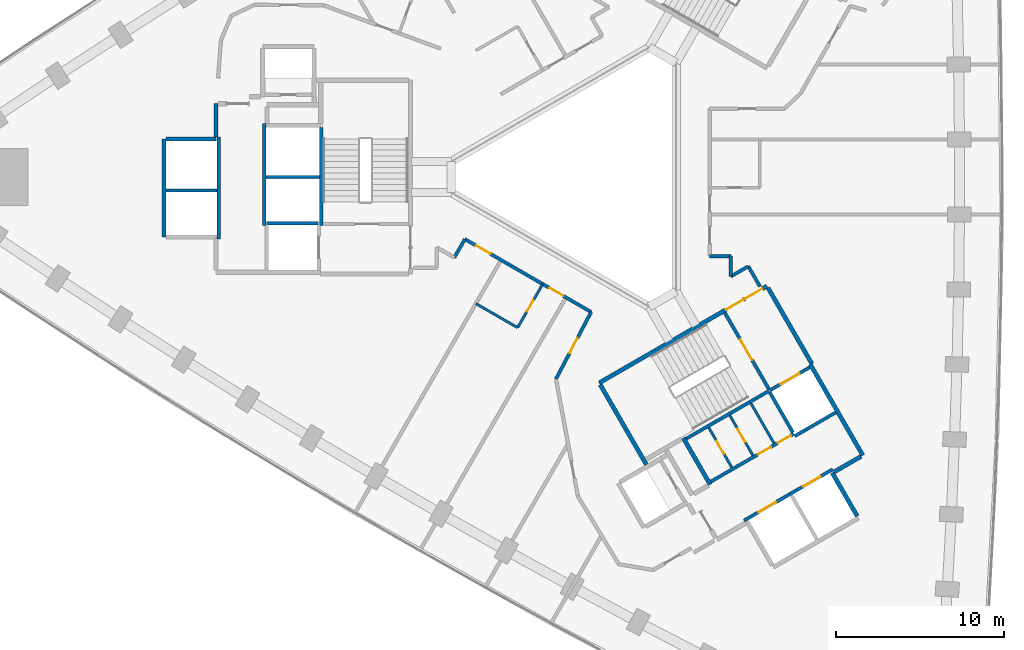
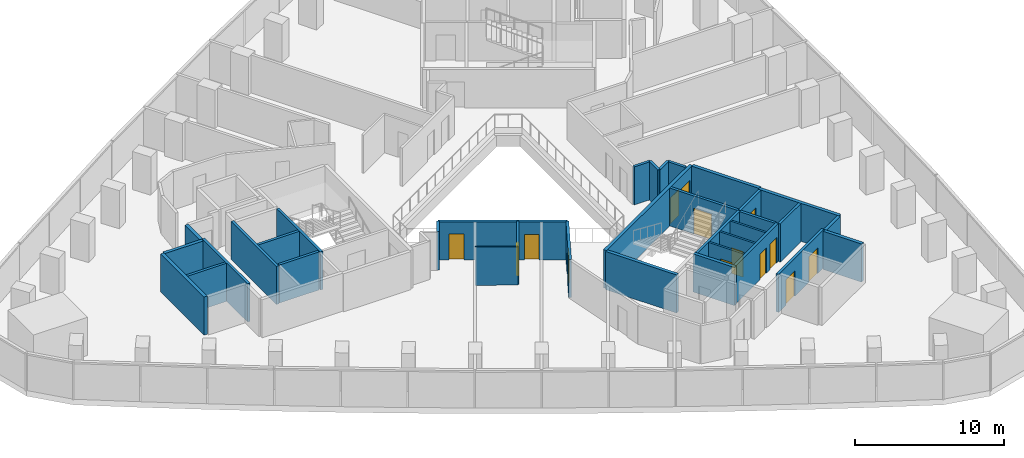
# One storey, part 9 of 13: 35 walls, 14 doors, 14 openings.
"""IFC4 building model written with IfcOpenShell, lengths in metres."""

import ifcopenshell
import ifcopenshell.guid

model = None  # the IFC model being written
_history = None  # IfcOwnerHistory: only IFC2X3 demands one
_inside = {}  # id of a spatial element -> (the spatial element, [elements in it])
_under = {}  # id of a project, library or spatial element -> (it, [spatial elements below it])
_declared = {}  # id of a project -> (the project, [libraries it declares])
_typed = {}  # id of a type object -> (the type object, [elements of that type])
_made_of = {}  # id of a material, layer set ... -> (it, [elements and type objects made of it])


def new_model(schema):
    """Start an empty IFC model of exactly this schema.

    Asked for "IFC4X3", IfcOpenShell would pick the latest addendum, in which some entities
    have other attributes; the version numbers below select the first issue.
    IFC2X3 requires an IfcOwnerHistory on every rooted entity: one is made here for all.
    """
    global model, _history
    if schema == "IFC4X3":
        model = ifcopenshell.file(schema_version=(4, 3, 0, 0))
    else:
        model = ifcopenshell.file(schema=schema)
    _inside.clear()
    _under.clear()
    _declared.clear()
    _typed.clear()
    _made_of.clear()
    _history = None
    if model.schema == "IFC2X3":
        org = make("IfcOrganization", Name="unknown")
        user = make(
            "IfcPersonAndOrganization",
            ThePerson=make("IfcPerson", FamilyName="unknown"),
            TheOrganization=org,
        )
        app = make(
            "IfcApplication",
            ApplicationDeveloper=org,
            Version="unknown",
            ApplicationFullName="unknown",
            ApplicationIdentifier="unknown",
        )
        _history = make(
            "IfcOwnerHistory",
            OwningUser=user,
            OwningApplication=app,
            ChangeAction="ADDED",
            CreationDate=0,
        )
    return model


def make(cls, **values):
    """One entity of the class cls with the attributes given. An attribute that is None is left unset."""
    return model.create_entity(
        cls, **{name: value for name, value in values.items() if value is not None}
    )


def rooted(cls, **values):
    """An entity with a GlobalId (a new one), such as an element, a storey or a relation."""
    return make(cls, GlobalId=ifcopenshell.guid.new(), OwnerHistory=_history, **values)


def si_unit(unit_type, name, prefix=None):
    """IfcSIUnit, for example si_unit("LENGTHUNIT", "METRE", prefix="MILLI")."""
    return make("IfcSIUnit", UnitType=unit_type, Prefix=prefix, Name=name)


def assignment(units):
    """IfcUnitAssignment: the units of a project."""
    return None if units is None else make("IfcUnitAssignment", Units=units)


def point(xyz):
    """IfcCartesianPoint."""
    return None if xyz is None else make("IfcCartesianPoint", Coordinates=xyz)


def direction(xyz):
    """IfcDirection."""
    return None if xyz is None else make("IfcDirection", DirectionRatios=xyz)


def frame(location, z_axis=None, x_axis=None):
    """IfcAxis2Placement3D, a coordinate frame: its origin and axes. An axis left out is left unset."""
    return make(
        "IfcAxis2Placement3D",
        Location=point(location),
        Axis=direction(z_axis),
        RefDirection=direction(x_axis),
    )


def frame_2d(location, x_axis=None):
    """IfcAxis2Placement2D, a coordinate frame in the plane: its origin and x axis."""
    return make(
        "IfcAxis2Placement2D", Location=point(location), RefDirection=direction(x_axis)
    )


def origin():
    """The frame at (0, 0, 0) with its axes left unset."""
    return frame((0.0, 0.0, 0.0))


def place(relative_to, where):
    """IfcLocalPlacement: puts the frame where relative to a parent placement (None: the world)."""
    return make(
        "IfcLocalPlacement", PlacementRelTo=relative_to, RelativePlacement=where
    )


def context(
    kind, dimensions, precision=None, world=None, true_north=None, identifier=None
):
    """IfcGeometricRepresentationContext, for example the 3D "Model" context."""
    return make(
        "IfcGeometricRepresentationContext",
        ContextIdentifier=identifier,
        ContextType=kind,
        CoordinateSpaceDimension=dimensions,
        Precision=precision,
        WorldCoordinateSystem=world,
        TrueNorth=true_north,
    )


def subcontext(parent, identifier, kind, view, scale=None):
    """IfcGeometricRepresentationSubContext, for example "Body" below "Model"."""
    return make(
        "IfcGeometricRepresentationSubContext",
        ContextIdentifier=identifier,
        ContextType=kind,
        ParentContext=parent,
        TargetScale=scale,
        TargetView=view,
    )


def project(units=None, contexts=None):
    """IfcProject with its units and contexts."""
    return rooted(
        "IfcProject",
        Name="project",
        RepresentationContexts=contexts,
        UnitsInContext=assignment(units),
    )


def spatial(cls, under=None, at=None, **own):
    """A site, building, storey or space (cls), placed at a placement, below another one or the project."""
    s = rooted(cls, ObjectPlacement=at, **own)
    if under is not None:
        _under.setdefault(under.id(), (under, []))[1].append(s)
    return s


def profile(cls, at=None, kind="AREA", **sizes):
    """A parametric profile (cls). Its sizes go by their IFC names, for example OverallWidth=200.0."""
    return make(cls, ProfileType=kind, Position=at, **sizes)


def rectangle(**sizes):
    """IfcRectangleProfileDef."""
    return profile("IfcRectangleProfileDef", **sizes)


def extrude(swept, where, along, depth):
    """IfcExtrudedAreaSolid: the profile swept, set in the frame where, extruded along a direction by depth."""
    return make(
        "IfcExtrudedAreaSolid",
        SweptArea=swept,
        Position=where,
        ExtrudedDirection=direction(along),
        Depth=depth,
    )


def shape(context_of_items, identifier, shape_type, items):
    """IfcShapeRepresentation: the items that make up one representation, for example the "Body"."""
    return make(
        "IfcShapeRepresentation",
        ContextOfItems=context_of_items,
        RepresentationIdentifier=identifier,
        RepresentationType=shape_type,
        Items=items,
    )


def material(Name=None, Category=None):
    """IfcMaterial."""
    return make("IfcMaterial", Name=Name, Category=Category)


def layer(
    of_material, thickness, ventilated=None, Name=None, Category=None, Priority=None
):
    """IfcMaterialLayer: one layer of a wall or slab, of a material (None: an air gap)."""
    return make(
        "IfcMaterialLayer",
        Material=of_material,
        LayerThickness=thickness,
        IsVentilated=ventilated,
        Name=Name,
        Category=Category,
        Priority=Priority,
    )


def layer_set(layers, Name=None):
    """IfcMaterialLayerSet."""
    return make("IfcMaterialLayerSet", MaterialLayers=layers, LayerSetName=Name)


def made_of(thing, what):
    """Note that an element or type object is made of a material, layer set ...; save() writes the relation."""
    if what is not None:
        _made_of.setdefault(what.id(), (what, []))[1].append(thing)
    return thing


def type_object(cls, material=None, **own):
    """A type object (cls), such as IfcWallType, which elements share."""
    return made_of(rooted(cls, **own), material)


def element(
    cls,
    number,
    at=None,
    inside=None,
    cuts=None,
    type_object=None,
    material=None,
    context=None,
    identifier="Body",
    shape_type=None,
    held_by="IfcProductDefinitionShape",
    body=None,
    shapes=None,
    **own,
):
    """One element of the class cls, such as IfcWall. Its Tag is "e" and its number.

    at: its placement. inside: the storey or other place that contains it. cuts: it is an
    opening in that element (IfcRelVoidsElement). A single representation is given by context,
    identifier, shape_type and body (its items); several are given by shapes. held_by: the class
    of the entity that holds the representations. save() writes the other relations.
    """
    e = rooted(cls, Tag="e%d" % number, ObjectPlacement=at, **own)
    if body is not None:
        shapes = [shape(context, identifier, shape_type, body)]
    if shapes is not None:
        e.Representation = make(held_by, Representations=shapes)
    if inside is not None:
        _inside.setdefault(inside.id(), (inside, []))[1].append(e)
    if cuts is not None:
        rooted(
            "IfcRelVoidsElement", RelatingBuildingElement=cuts, RelatedOpeningElement=e
        )
    if type_object is not None:
        _typed.setdefault(type_object.id(), (type_object, []))[1].append(e)
    return made_of(e, material)


def fill(opening, filler):
    """IfcRelFillsElement: the door or window that sits in an opening."""
    return rooted(
        "IfcRelFillsElement",
        RelatingOpeningElement=opening,
        RelatedBuildingElement=filler,
    )


def aggregate(whole, parts):
    """IfcRelAggregates: a whole, such as a stair, and the parts it consists of."""
    return rooted("IfcRelAggregates", RelatingObject=whole, RelatedObjects=parts)


def save(model, path):
    """Write the relations noted so far, then the file.

    IfcRelAggregates (storeys below a building ...), IfcRelContainedInSpatialStructure (elements
    in a storey), IfcRelDefinesByType, IfcRelAssociatesMaterial and IfcRelDeclares: one each for
    every whole, place, type object, material and project.
    """
    for whole, parts in _under.values():
        aggregate(whole, parts)
    for where, things in _inside.values():
        rooted(
            "IfcRelContainedInSpatialStructure",
            RelatedElements=things,
            RelatingStructure=where,
        )
    for kind, things in _typed.values():
        rooted("IfcRelDefinesByType", RelatedObjects=things, RelatingType=kind)
    for what, things in _made_of.values():
        rooted("IfcRelAssociatesMaterial", RelatedObjects=things, RelatingMaterial=what)
    for by, libraries in _declared.values():
        rooted("IfcRelDeclares", RelatingContext=by, RelatedDefinitions=libraries)
    model.write(path)


model = new_model("IFC4")

# Units and contexts
model_context = context("Model", 3, precision=1e-05, world=origin(), true_north=direction((0.0, 1.0)))
body_context = subcontext(model_context, "Body", "Model", "MODEL_VIEW")
ifc_project = project(units=[si_unit("LENGTHUNIT", "METRE"), si_unit("AREAUNIT", "SQUARE_METRE"), si_unit("VOLUMEUNIT", "CUBIC_METRE"), si_unit("PLANEANGLEUNIT", "RADIAN"), si_unit("MASSUNIT", "GRAM", prefix="KILO")], contexts=[model_context])

# Site, building, storey
site_placement = place(None, origin())
site = spatial("IfcSite", under=ifc_project, at=site_placement, CompositionType="ELEMENT")
building_placement = place(site_placement, origin())
building = spatial("IfcBuilding", under=site, at=building_placement, Name="Tamra Quay Hotel Tower", CompositionType="ELEMENT")
storey_placement = place(building_placement, frame((0.0, 0.0, 60.199951171875)))
storey = spatial("IfcBuildingStorey", under=building, at=storey_placement, Name="L13", CompositionType="ELEMENT", Elevation=60.199951171875)

# Walls
ifc_material_1 = material(Name="Concrete M70", Category="concrete")
ifc_layer_1 = layer(ifc_material_1, 0.199951171875)
ifc_layer_set_1 = layer_set([ifc_layer_1], Name="Concrete M70 core wall 200")
wall_type_1 = type_object("IfcWallType", Name="Concrete M70 core wall 200", PredefinedType="SHEAR", material=ifc_layer_set_1)
wall_1_placement = place(storey_placement, frame((-16.162109375, 2.95068359375, 0.0), z_axis=(0.0, 0.0, 1.0), x_axis=(0.0, -1.0, 0.0)))
element("IfcWall", 1, at=wall_1_placement, inside=storey, type_object=wall_type_1, Name="CW2", PredefinedType="SHEAR", context=body_context, shape_type="SweptSolid", body=[
    extrude(rectangle(XDim=5.850830078125, YDim=0.199951171875, at=frame_2d((2.92529296875, 0.0))), origin(), (0.0, 0.0, 1.0), 3.125),
])
for number, where, z_axis, x_axis, name in (
    (2, (-19.5625, -2.900146484375, 0.0), (0.0, 0.0, 1.0), (0.0, 1.0, 0.0), "CW2"),
    (3, (-22.26220703125, 2.400146484375, 0.0), (0.0, 0.0, 1.0), (0.0, -1.0, 0.0), "CW2"),
):
    element("IfcWall", number, at=place(storey_placement, frame(where, z_axis=z_axis, x_axis=x_axis)), inside=storey, type_object=wall_type_1, Name=name, PredefinedType="SHEAR", context=body_context, shape_type="SweptSolid", body=[
        extrude(rectangle(XDim=6.100341796875, YDim=0.199951171875, at=frame_2d((3.05029296875, 0.0))), origin(), (0.0, 0.0, 1.0), 3.125),
    ])
wall_2_placement = place(storey_placement, frame((-16.26318359375, 0.0, 0.0), z_axis=(0.0, 0.0, 1.0), x_axis=(-1.0, 0.0, 0.0)))
element("IfcWall", 4, at=wall_2_placement, inside=storey, type_object=wall_type_1, Name="CW2", PredefinedType="SHEAR", context=body_context, shape_type="SweptSolid", body=[
    extrude(rectangle(XDim=3.1982421875, YDim=0.199951171875, at=frame_2d((1.59912109375, 0.0))), origin(), (0.0, 0.0, 1.0), 3.125),
])
wall_3_placement = place(storey_placement, frame((-22.36328125, -0.800048828125, 0.0), z_axis=(0.0, 0.0, 1.0), x_axis=(-1.0, 0.0, 0.0)))
element("IfcWall", 5, at=wall_3_placement, inside=storey, type_object=wall_type_1, Name="CW2", PredefinedType="SHEAR", context=body_context, shape_type="SweptSolid", body=[
    extrude(rectangle(XDim=3.048095703125, YDim=0.199951171875, at=frame_2d((1.52392578125, 0.0))), origin(), (0.0, 0.0, 1.0), 3.125),
])
wall_4_placement = place(storey_placement, frame((-19.412353515625, -2.75, 0.0), z_axis=(0.0, 0.0, 1.0), x_axis=(1.0, 0.0, 0.0)))
element("IfcWall", 6, at=wall_4_placement, inside=storey, type_object=wall_type_1, Name="CW2", PredefinedType="SHEAR", context=body_context, shape_type="SweptSolid", body=[
    extrude(rectangle(XDim=3.10009765625, YDim=0.199951171875, at=frame_2d((1.550048828125, 0.0))), origin(), (0.0, 0.0, 1.0), 3.125),
])

# Wall, openings, doors
wall_5_placement = place(storey_placement, frame((9.052490234375, -20.479736328125, 0.0), z_axis=(0.0, 0.0, 1.0), x_axis=(0.866030299012, 0.499991521122, 0.0)))
wall_5 = element("IfcWall", 7, at=wall_5_placement, inside=storey, type_object=wall_type_1, Name="CW2", PredefinedType="SHEAR", context=body_context, shape_type="SweptSolid", body=[
    extrude(rectangle(XDim=6.10009765625, YDim=0.199951171875, at=frame_2d((3.050048828125, 0.0))), origin(), (0.0, 0.0, 1.0), 3.125),
])
opening_1_placement = place(wall_5_placement, frame((1.0, 0.0, 0.0)))
opening_1 = element("IfcOpeningElement", 8, at=opening_1_placement, cuts=wall_5, Name="Opening LD", PredefinedType="OPENING", context=body_context, shape_type="SweptSolid", body=[
    extrude(rectangle(XDim=1.199951171875, YDim=2.10009765625, at=frame_2d((0.60009765625, 1.050048828125))), frame((0.0, 0.10986328125, 0.0), z_axis=(0.0, -1.0, 0.0), x_axis=(1.0, 0.0, 0.0)), (0.0, 0.0, 1.0), 0.219970703125),
])
opening_2_placement = place(wall_5_placement, frame((4.05029296875, 0.0, 0.0)))
opening_2 = element("IfcOpeningElement", 9, at=opening_2_placement, cuts=wall_5, Name="Opening LD", PredefinedType="OPENING", context=body_context, shape_type="SweptSolid", body=[
    extrude(rectangle(XDim=1.199951171875, YDim=2.10009765625, at=frame_2d((0.60009765625, 1.050048828125))), frame((0.0, 0.10986328125, 0.0), z_axis=(0.0, -1.0, 0.0), x_axis=(1.0, 0.0, 0.0)), (0.0, 0.0, 1.0), 0.219970703125),
])
ifc_material_2 = material(Name="Landing door LD 1200 double door sliding")
door_type_1 = type_object("IfcDoorType", Name="Landing door LD 1200 double door sliding", OperationType="DOUBLE_DOOR_SLIDING", PredefinedType="DOOR", material=ifc_material_2)
door_1_placement = place(opening_1_placement, origin())
door_1 = element("IfcDoor", 10, at=door_1_placement, inside=storey, type_object=door_type_1, Name="LD", OperationType="DOUBLE_DOOR_SLIDING", OverallHeight=2.10009765625, OverallWidth=1.199951171875, PredefinedType="DOOR", context=body_context, shape_type="SweptSolid", body=[
    extrude(rectangle(XDim=1.199951171875, YDim=2.10009765625, at=frame_2d((0.60009765625, 1.050048828125))), frame((0.0, 0.02490234375, 0.0), z_axis=(0.0, -1.0, 0.0), x_axis=(1.0, 0.0, 0.0)), (0.0, 0.0, 1.0), 0.050048828125),
])
fill(opening_1, door_1)
door_2_placement = place(opening_2_placement, origin())
door_2 = element("IfcDoor", 11, at=door_2_placement, inside=storey, type_object=door_type_1, Name="LD", OperationType="DOUBLE_DOOR_SLIDING", OverallHeight=2.10009765625, OverallWidth=1.199951171875, PredefinedType="DOOR", context=body_context, shape_type="SweptSolid", body=[
    extrude(rectangle(XDim=1.199951171875, YDim=2.10009765625, at=frame_2d((0.60009765625, 1.050048828125))), frame((0.0, 0.02490234375, 0.0), z_axis=(0.0, -1.0, 0.0), x_axis=(1.0, 0.0, 0.0)), (0.0, 0.0, 1.0), 0.050048828125),
])
fill(opening_2, door_2)

# Wall
wall_6_placement = place(storey_placement, frame((10.537841796875, -12.751953125, 0.0), z_axis=(0.0, 0.0, 1.0), x_axis=(-0.866038630372, -0.499977090179, 0.0)))
element("IfcWall", 12, at=wall_6_placement, inside=storey, type_object=wall_type_1, Name="CW2", PredefinedType="SHEAR", context=body_context, shape_type="SweptSolid", body=[
    extrude(rectangle(XDim=5.698974609375, YDim=0.199951171875, at=frame_2d((2.849609375, 0.0))), origin(), (0.0, 0.0, 1.0), 3.125),
])

# Wall, openings, doors
wall_7_placement = place(storey_placement, frame((7.0771484375, -18.156005859375, 0.0), z_axis=(0.0, 0.0, 1.0), x_axis=(0.866038630372, 0.499977090179, 0.0)))
wall_7 = element("IfcWall", 13, at=wall_7_placement, inside=storey, type_object=wall_type_1, Name="CW2", PredefinedType="SHEAR", context=body_context, shape_type="SweptSolid", body=[
    extrude(rectangle(XDim=5.698974609375, YDim=0.199951171875, at=frame_2d((2.849609375, 0.0))), origin(), (0.0, 0.0, 1.0), 3.125),
])
opening_3_placement = place(wall_7_placement, frame((3.22412109375, 0.0, 0.0)))
opening_3 = element("IfcOpeningElement", 14, at=opening_3_placement, cuts=wall_7, Name="Opening D2", PredefinedType="OPENING", context=body_context, shape_type="SweptSolid", body=[
    extrude(rectangle(XDim=0.89990234375, YDim=2.10009765625, at=frame_2d((0.449951171875, 1.050048828125))), frame((0.0, 0.10986328125, 0.0), z_axis=(0.0, -1.0, 0.0), x_axis=(1.0, 0.0, 0.0)), (0.0, 0.0, 1.0), 0.219970703125),
])
opening_4_placement = place(wall_7_placement, frame((4.59912109375, 0.0, 0.0)))
opening_4 = element("IfcOpeningElement", 15, at=opening_4_placement, cuts=wall_7, Name="Opening D2", PredefinedType="OPENING", context=body_context, shape_type="SweptSolid", body=[
    extrude(rectangle(XDim=0.89990234375, YDim=2.10009765625, at=frame_2d((0.449951171875, 1.050048828125))), frame((0.0, 0.10986328125, 0.0), z_axis=(0.0, -1.0, 0.0), x_axis=(1.0, 0.0, 0.0)), (0.0, 0.0, 1.0), 0.219970703125),
])
ifc_material_3 = material(Name="Core door D2 900x2100 LH")
door_type_2 = type_object("IfcDoorType", Name="Core door D2 900x2100 LH", OperationType="NOTDEFINED", PredefinedType="DOOR", material=ifc_material_3)
door_3_placement = place(opening_3_placement, origin())
door_3 = element("IfcDoor", 16, at=door_3_placement, inside=storey, type_object=door_type_2, Name="D2", OperationType="SINGLE_SWING_LEFT", OverallHeight=2.10009765625, OverallWidth=0.89990234375, PredefinedType="DOOR", context=body_context, shape_type="SweptSolid", body=[
    extrude(rectangle(XDim=0.89990234375, YDim=2.10009765625, at=frame_2d((0.449951171875, 1.050048828125))), frame((0.0, 0.02490234375, 0.0), z_axis=(0.0, -1.0, 0.0), x_axis=(1.0, 0.0, 0.0)), (0.0, 0.0, 1.0), 0.050048828125),
])
fill(opening_3, door_3)
ifc_material_4 = material(Name="Core door D2 900x2100 RH")
door_type_3 = type_object("IfcDoorType", Name="Core door D2 900x2100 RH", OperationType="NOTDEFINED", PredefinedType="DOOR", material=ifc_material_4)
door_4_placement = place(opening_4_placement, origin())
door_4 = element("IfcDoor", 17, at=door_4_placement, inside=storey, type_object=door_type_3, Name="D2", OperationType="SINGLE_SWING_RIGHT", OverallHeight=2.10009765625, OverallWidth=0.89990234375, PredefinedType="DOOR", context=body_context, shape_type="SweptSolid", body=[
    extrude(rectangle(XDim=0.89990234375, YDim=2.10009765625, at=frame_2d((0.449951171875, 1.050048828125))), frame((0.0, 0.02490234375, 0.0), z_axis=(0.0, -1.0, 0.0), x_axis=(1.0, 0.0, 0.0)), (0.0, 0.0, 1.0), 0.050048828125),
])
fill(opening_4, door_4)

# Wall, opening, door
wall_8_placement = place(storey_placement, frame((7.906494140625, -8.094482421875, 0.0), z_axis=(0.0, 0.0, 1.0), x_axis=(0.500024287448, -0.866011380966, 0.0)))
wall_8 = element("IfcWall", 18, at=wall_8_placement, inside=storey, type_object=wall_type_1, Name="CW2", PredefinedType="SHEAR", context=body_context, shape_type="SweptSolid", body=[
    extrude(rectangle(XDim=5.251220703125, YDim=0.199951171875, at=frame_2d((2.62548828125, 0.0))), origin(), (0.0, 0.0, 1.0), 3.125),
])
opening_5_placement = place(wall_8_placement, frame((1.84912109375, 0.0, 0.0)))
opening_5 = element("IfcOpeningElement", 19, at=opening_5_placement, cuts=wall_8, Name="Opening FD2", PredefinedType="OPENING", context=body_context, shape_type="SweptSolid", body=[
    extrude(rectangle(XDim=1.39990234375, YDim=2.10009765625, at=frame_2d((0.699951171875, 1.050048828125))), frame((0.0, 0.10986328125, 0.0), z_axis=(0.0, -1.0, 0.0), x_axis=(1.0, 0.0, 0.0)), (0.0, 0.0, 1.0), 0.219970703125),
])
ifc_material_5 = material(Name="Core door FD2 1400x2100 RH")
door_type_4 = type_object("IfcDoorType", Name="Core door FD2 1400x2100 RH", OperationType="NOTDEFINED", PredefinedType="DOOR", material=ifc_material_5)
door_5_placement = place(opening_5_placement, origin())
door_5 = element("IfcDoor", 20, at=door_5_placement, inside=storey, type_object=door_type_4, Name="FD2", OperationType="SINGLE_SWING_RIGHT", OverallHeight=2.10009765625, OverallWidth=1.39990234375, PredefinedType="DOOR", context=body_context, shape_type="SweptSolid", body=[
    extrude(rectangle(XDim=1.39990234375, YDim=2.10009765625, at=frame_2d((0.699951171875, 1.050048828125))), frame((0.0, 0.02490234375, 0.0), z_axis=(0.0, -1.0, 0.0), x_axis=(1.0, 0.0, 0.0)), (0.0, 0.0, 1.0), 0.050048828125),
])
fill(opening_5, door_5)

# Wall
wall_9_placement = place(storey_placement, frame((11.962646484375, -15.219970703125, 0.0), z_axis=(0.0, 0.0, 1.0), x_axis=(-0.500034990121, 0.866005201286, 0.0)))
element("IfcWall", 21, at=wall_9_placement, inside=storey, type_object=wall_type_1, Name="CW2", PredefinedType="SHEAR", context=body_context, shape_type="SweptSolid", body=[
    extrude(rectangle(XDim=2.749755859375, YDim=0.199951171875, at=frame_2d((1.375, 0.0))), origin(), (0.0, 0.0, 1.0), 3.125),
])

# Wall, opening, door
wall_10_placement = place(storey_placement, frame((10.587158203125, -12.72314453125, 0.0), z_axis=(0.0, 0.0, 1.0), x_axis=(0.866037306777, 0.499979382845, 0.0)))
wall_10 = element("IfcWall", 22, at=wall_10_placement, inside=storey, type_object=wall_type_1, Name="CW2", PredefinedType="SHEAR", context=body_context, shape_type="SweptSolid", body=[
    extrude(rectangle(XDim=2.74169921875, YDim=0.199951171875, at=frame_2d((1.370849609375, 0.0))), origin(), (0.0, 0.0, 1.0), 3.125),
])
opening_6_placement = place(wall_10_placement, frame((0.742919921875, 0.0, 0.0)))
opening_6 = element("IfcOpeningElement", 23, at=opening_6_placement, cuts=wall_10, Name="Opening LD", PredefinedType="OPENING", context=body_context, shape_type="SweptSolid", body=[
    extrude(rectangle(XDim=1.300048828125, YDim=2.10009765625, at=frame_2d((0.64990234375, 1.050048828125))), frame((0.0, 0.10986328125, 0.0), z_axis=(0.0, -1.0, 0.0), x_axis=(1.0, 0.0, 0.0)), (0.0, 0.0, 1.0), 0.219970703125),
])
ifc_material_6 = material(Name="Landing door LD 1300 sliding to right")
door_type_5 = type_object("IfcDoorType", Name="Landing door LD 1300 sliding to right", OperationType="NOTDEFINED", PredefinedType="DOOR", material=ifc_material_6)
door_6_placement = place(opening_6_placement, origin())
door_6 = element("IfcDoor", 24, at=door_6_placement, inside=storey, type_object=door_type_5, Name="LD", OperationType="SLIDING_TO_RIGHT", OverallHeight=2.10009765625, OverallWidth=1.300048828125, PredefinedType="DOOR", context=body_context, shape_type="SweptSolid", body=[
    extrude(rectangle(XDim=1.300048828125, YDim=2.10009765625, at=frame_2d((0.64990234375, 1.050048828125))), frame((0.0, 0.02490234375, 0.0), z_axis=(0.0, -1.0, 0.0), x_axis=(1.0, 0.0, 0.0)), (0.0, 0.0, 1.0), 0.050048828125),
])
fill(opening_6, door_6)

# Walls
wall_11_placement = place(storey_placement, frame((14.51171875, -14.037109375, 0.0), z_axis=(0.0, 0.0, 1.0), x_axis=(-0.866044696403, -0.499966582715, 0.0)))
element("IfcWall", 25, at=wall_11_placement, inside=storey, type_object=wall_type_1, Name="CW2", PredefinedType="SHEAR", context=body_context, shape_type="SweptSolid", body=[
    extrude(rectangle(XDim=2.799072265625, YDim=0.199951171875, at=frame_2d((1.3994140625, 0.0))), origin(), (0.0, 0.0, 1.0), 3.125),
])
ifc_layer_2 = layer(ifc_material_1, 0.25)
ifc_layer_set_2 = layer_set([ifc_layer_2], Name="Concrete M70 core wall 250")
wall_type_2 = type_object("IfcWallType", Name="Concrete M70 core wall 250", PredefinedType="SHEAR", material=ifc_layer_set_2)
wall_12_placement = place(storey_placement, frame((-25.537353515625, -3.574951171875, 0.0), z_axis=(0.0, 0.0, 1.0), x_axis=(0.0, 1.0, 0.0)))
element("IfcWall", 26, at=wall_12_placement, inside=storey, type_object=wall_type_2, Name="CW1", PredefinedType="SHEAR", context=body_context, shape_type="SweptSolid", body=[
    extrude(rectangle(XDim=5.849853515625, YDim=0.25, at=frame_2d((2.9248046875, 0.0))), origin(), (0.0, 0.0, 1.0), 3.125),
])
wall_13_placement = place(storey_placement, frame((-25.411865234375, 2.27490234375, 0.0), z_axis=(0.0, 0.0, 1.0), x_axis=(1.0, 0.0, 0.0)))
element("IfcWall", 27, at=wall_13_placement, inside=storey, type_object=wall_type_2, Name="CW1", PredefinedType="SHEAR", context=body_context, shape_type="SweptSolid", body=[
    extrude(rectangle(XDim=2.974609375, YDim=0.25, at=frame_2d((1.4873046875, 0.0))), origin(), (0.0, 0.0, 1.0), 3.125),
])
wall_14_placement = place(storey_placement, frame((-22.437255859375, 2.400390625, 0.0), z_axis=(0.0, 0.0, 1.0), x_axis=(0.0, 1.0, 0.0)))
element("IfcWall", 28, at=wall_14_placement, inside=storey, type_object=wall_type_2, Name="CW1", PredefinedType="SHEAR", context=body_context, shape_type="SweptSolid", body=[
    extrude(rectangle(XDim=1.974609375, YDim=0.25, at=frame_2d((0.9873046875, 0.0))), origin(), (0.0, 0.0, 1.0), 3.125),
])

# Wall, openings, doors
wall_15_placement = place(storey_placement, frame((0.417236328125, -12.27294921875, 0.0), z_axis=(0.0, 0.0, 1.0), x_axis=(0.866021906294, 0.500006057782, 0.0)))
wall_15 = element("IfcWall", 29, at=wall_15_placement, inside=storey, type_object=wall_type_2, Name="CW1", PredefinedType="SHEAR", context=body_context, shape_type="SweptSolid", body=[
    extrude(rectangle(XDim=11.550048828125, YDim=0.25, at=frame_2d((5.77490234375, 0.0))), origin(), (0.0, 0.0, 1.0), 3.125),
])
opening_7_placement = place(wall_15_placement, frame((10.024658203125, 0.0, 0.0)))
opening_7 = element("IfcOpeningElement", 30, at=opening_7_placement, cuts=wall_15, Name="Opening FD1", PredefinedType="OPENING", context=body_context, shape_type="SweptSolid", body=[
    extrude(rectangle(XDim=1.199951171875, YDim=2.10009765625, at=frame_2d((0.60009765625, 1.050048828125))), frame((0.0, 0.135009765625, 0.0), z_axis=(0.0, -1.0, 0.0), x_axis=(1.0, 0.0, 0.0)), (0.0, 0.0, 1.0), 0.27001953125),
])
opening_8_placement = place(wall_15_placement, frame((8.724609375, 0.0, 0.0)))
opening_8 = element("IfcOpeningElement", 31, at=opening_8_placement, cuts=wall_15, Name="Opening FD1", PredefinedType="OPENING", context=body_context, shape_type="SweptSolid", body=[
    extrude(rectangle(XDim=1.199951171875, YDim=2.10009765625, at=frame_2d((0.60009765625, 1.050048828125))), frame((0.0, 0.135009765625, 0.0), z_axis=(0.0, -1.0, 0.0), x_axis=(1.0, 0.0, 0.0)), (0.0, 0.0, 1.0), 0.27001953125),
])
ifc_material_7 = material(Name="Core door FD1 1200x2100 LH")
door_type_6 = type_object("IfcDoorType", Name="Core door FD1 1200x2100 LH", OperationType="NOTDEFINED", PredefinedType="DOOR", material=ifc_material_7)
door_7_placement = place(opening_7_placement, origin())
door_7 = element("IfcDoor", 32, at=door_7_placement, inside=storey, type_object=door_type_6, Name="FD1", OperationType="SINGLE_SWING_LEFT", OverallHeight=2.10009765625, OverallWidth=1.199951171875, PredefinedType="DOOR", context=body_context, shape_type="SweptSolid", body=[
    extrude(rectangle(XDim=1.199951171875, YDim=2.10009765625, at=frame_2d((0.60009765625, 1.050048828125))), frame((0.0, 0.02490234375, 0.0), z_axis=(0.0, -1.0, 0.0), x_axis=(1.0, 0.0, 0.0)), (0.0, 0.0, 1.0), 0.050048828125),
])
fill(opening_7, door_7)
ifc_material_8 = material(Name="Core door FD1 1200x2100 RH")
door_type_7 = type_object("IfcDoorType", Name="Core door FD1 1200x2100 RH", OperationType="NOTDEFINED", PredefinedType="DOOR", material=ifc_material_8)
door_8_placement = place(opening_8_placement, origin())
door_8 = element("IfcDoor", 33, at=door_8_placement, inside=storey, type_object=door_type_7, Name="FD1", OperationType="SINGLE_SWING_RIGHT", OverallHeight=2.10009765625, OverallWidth=1.199951171875, PredefinedType="DOOR", context=body_context, shape_type="SweptSolid", body=[
    extrude(rectangle(XDim=1.199951171875, YDim=2.10009765625, at=frame_2d((0.60009765625, 1.050048828125))), frame((0.0, 0.02490234375, 0.0), z_axis=(0.0, -1.0, 0.0), x_axis=(1.0, 0.0, 0.0)), (0.0, 0.0, 1.0), 0.050048828125),
])
fill(opening_8, door_8)

# Walls
wall_16_placement = place(storey_placement, frame((13.00830078125, -11.18115234375, 0.0), z_axis=(0.0, 0.0, 1.0), x_axis=(0.500004234368, -0.866022959057, 0.0)))
element("IfcWall", 34, at=wall_16_placement, inside=storey, type_object=wall_type_2, Name="CW1", PredefinedType="SHEAR", context=body_context, shape_type="SweptSolid", body=[
    extrude(rectangle(XDim=6.25, YDim=0.25, at=frame_2d((3.125, 0.0))), origin(), (0.0, 0.0, 1.0), 3.125),
])
wall_17_placement = place(storey_placement, frame((3.23486328125, -17.15283203125, 0.0), z_axis=(0.0, 0.0, 1.0), x_axis=(-0.500008851346, 0.866020293397, 0.0)))
element("IfcWall", 35, at=wall_17_placement, inside=storey, type_object=wall_type_2, Name="CW1", PredefinedType="SHEAR", context=body_context, shape_type="SweptSolid", body=[
    extrude(rectangle(XDim=5.509765625, YDim=0.25, at=frame_2d((2.7548828125, 0.0))), origin(), (0.0, 0.0, 1.0), 3.125),
])
wall_18_placement = place(storey_placement, frame((10.482666015625, -6.6064453125, 0.0), z_axis=(0.0, 0.0, 1.0), x_axis=(0.49999885962, -0.866026062182, 0.0)))
element("IfcWall", 36, at=wall_18_placement, inside=storey, type_object=wall_type_2, Name="CW1", PredefinedType="SHEAR", context=body_context, shape_type="SweptSolid", body=[
    extrude(rectangle(XDim=5.224609375, YDim=0.25, at=frame_2d((2.6123046875, 0.0))), origin(), (0.0, 0.0, 1.0), 3.125),
])
wall_19_placement = place(storey_placement, frame((7.030517578125, -18.327392578125, 0.0), z_axis=(0.0, 0.0, 1.0), x_axis=(-0.499971222258, 0.866042017984, 0.0)))
element("IfcWall", 37, at=wall_19_placement, inside=storey, type_object=wall_type_2, Name="CW1", PredefinedType="SHEAR", context=body_context, shape_type="SweptSolid", body=[
    extrude(rectangle(XDim=3.199951171875, YDim=0.25, at=frame_2d((1.60009765625, 0.0))), origin(), (0.0, 0.0, 1.0), 3.125),
])
wall_20_placement = place(storey_placement, frame((14.314697265625, -17.643798828125, 0.0), z_axis=(0.0, 0.0, 1.0), x_axis=(0.500023226632, -0.866011993467, 0.0)))
element("IfcWall", 38, at=wall_20_placement, inside=storey, type_object=wall_type_2, Name="CW1", PredefinedType="SHEAR", context=body_context, shape_type="SweptSolid", body=[
    extrude(rectangle(XDim=2.974365234375, YDim=0.25, at=frame_2d((1.4873046875, 0.0))), origin(), (0.0, 0.0, 1.0), 3.125),
])
wall_21_placement = place(storey_placement, frame((16.024658203125, -16.656494140625, 0.0), z_axis=(0.0, 0.0, 1.0), x_axis=(-0.866016279763, -0.500015802937, 0.0)))
element("IfcWall", 39, at=wall_21_placement, inside=storey, type_object=wall_type_2, Name="CW1", PredefinedType="SHEAR", context=body_context, shape_type="SweptSolid", body=[
    extrude(rectangle(XDim=1.84912109375, YDim=0.25, at=frame_2d((0.924560546875, 0.0))), origin(), (0.0, 0.0, 1.0), 3.125),
])

# Wall, opening, door
ifc_material_9 = material(Name="Blockwork", Category="masonry")
ifc_layer_3 = layer(ifc_material_9, 0.14990234375)
ifc_layer_set_3 = layer_set([ifc_layer_3], Name="Core partition block 150")
wall_type_3 = type_object("IfcWallType", Name="Core partition block 150", PredefinedType="PARTITIONING", material=ifc_layer_set_3)
wall_22_placement = place(storey_placement, frame((8.20654296875, -14.214111328125, 0.0), z_axis=(0.0, 0.0, 1.0), x_axis=(0.50002746344, -0.86600954718, 0.0)))
wall_22 = element("IfcWall", 40, at=wall_22_placement, inside=storey, type_object=wall_type_3, Name="CP1", PredefinedType="PARTITIONING", context=body_context, shape_type="SweptSolid", body=[
    extrude(rectangle(XDim=2.748291015625, YDim=0.14990234375, at=frame_2d((1.3740234375, 0.0))), origin(), (0.0, 0.0, 1.0), 3.125),
])
opening_9_placement = place(wall_22_placement, frame((0.92431640625, 0.0, 0.0)))
opening_9 = element("IfcOpeningElement", 41, at=opening_9_placement, cuts=wall_22, Name="Opening D2", PredefinedType="OPENING", context=body_context, shape_type="SweptSolid", body=[
    extrude(rectangle(XDim=0.89990234375, YDim=2.10009765625, at=frame_2d((0.449951171875, 1.050048828125))), frame((0.0, 0.0849609375, 0.0), z_axis=(0.0, -1.0, 0.0), x_axis=(1.0, 0.0, 0.0)), (0.0, 0.0, 1.0), 0.169921875),
])
door_9_placement = place(opening_9_placement, origin())
door_9 = element("IfcDoor", 42, at=door_9_placement, inside=storey, type_object=door_type_3, Name="D2", OperationType="SINGLE_SWING_RIGHT", OverallHeight=2.10009765625, OverallWidth=0.89990234375, PredefinedType="DOOR", context=body_context, shape_type="SweptSolid", body=[
    extrude(rectangle(XDim=0.89990234375, YDim=2.10009765625, at=frame_2d((0.449951171875, 1.050048828125))), frame((0.0, 0.02490234375, 0.0), z_axis=(0.0, -1.0, 0.0), x_axis=(1.0, 0.0, 0.0)), (0.0, 0.0, 1.0), 0.050048828125),
])
fill(opening_9, door_9)

# Wall
wall_23_placement = place(storey_placement, frame((9.46240234375, -13.489013671875, 0.0), z_axis=(0.0, 0.0, 1.0), x_axis=(0.499988999718, -0.866031754707, 0.0)))
element("IfcWall", 43, at=wall_23_placement, inside=storey, type_object=wall_type_3, Name="CP1", PredefinedType="PARTITIONING", context=body_context, shape_type="SweptSolid", body=[
    extrude(rectangle(XDim=2.74853515625, YDim=0.14990234375, at=frame_2d((1.374267578125, 0.0))), origin(), (0.0, 0.0, 1.0), 3.125),
])

# Wall, opening, door
wall_24_placement = place(storey_placement, frame((6.950927734375, -14.93896484375, 0.0), z_axis=(0.0, 0.0, 1.0), x_axis=(0.499988999718, -0.866031754707, 0.0)))
wall_24 = element("IfcWall", 44, at=wall_24_placement, inside=storey, type_object=wall_type_3, Name="CP1", PredefinedType="PARTITIONING", context=body_context, shape_type="SweptSolid", body=[
    extrude(rectangle(XDim=2.74853515625, YDim=0.14990234375, at=frame_2d((1.374267578125, 0.0))), origin(), (0.0, 0.0, 1.0), 3.125),
])
opening_10_placement = place(wall_24_placement, frame((0.92431640625, 0.0, 0.0)))
opening_10 = element("IfcOpeningElement", 45, at=opening_10_placement, cuts=wall_24, Name="Opening D2", PredefinedType="OPENING", context=body_context, shape_type="SweptSolid", body=[
    extrude(rectangle(XDim=0.89990234375, YDim=2.10009765625, at=frame_2d((0.449951171875, 1.050048828125))), frame((0.0, 0.0849609375, 0.0), z_axis=(0.0, -1.0, 0.0), x_axis=(1.0, 0.0, 0.0)), (0.0, 0.0, 1.0), 0.169921875),
])
door_10_placement = place(opening_10_placement, origin())
door_10 = element("IfcDoor", 46, at=door_10_placement, inside=storey, type_object=door_type_2, Name="D2", OperationType="SINGLE_SWING_LEFT", OverallHeight=2.10009765625, OverallWidth=0.89990234375, PredefinedType="DOOR", context=body_context, shape_type="SweptSolid", body=[
    extrude(rectangle(XDim=0.89990234375, YDim=2.10009765625, at=frame_2d((0.449951171875, 1.050048828125))), frame((0.0, 0.02490234375, 0.0), z_axis=(0.0, -1.0, 0.0), x_axis=(1.0, 0.0, 0.0)), (0.0, 0.0, 1.0), 0.050048828125),
])
fill(opening_10, door_10)

# Wall
ifc_material_10 = material(Name="Partition corridor wall")
ifc_layer_4 = layer(ifc_material_10, 0.199951171875)
ifc_layer_set_4 = layer_set([ifc_layer_4], Name="Partition corridor wall")
wall_type_4 = type_object("IfcWallType", Name="Partition corridor wall", PredefinedType="PARTITIONING", material=ifc_layer_set_4)
wall_25_placement = place(storey_placement, frame((-8.222900390625, -4.800048828125, 0.0), z_axis=(0.0, 0.0, 1.0), x_axis=(0.499866914522, 0.866102227088, 0.0)))
element("IfcWall", 47, at=wall_25_placement, inside=storey, type_object=wall_type_4, Name="W-C", PredefinedType="PARTITIONING", context=body_context, shape_type="SweptSolid", body=[
    extrude(rectangle(XDim=1.267822265625, YDim=0.199951171875, at=frame_2d((0.6337890625, 0.0))), origin(), (0.0, 0.0, 1.0), 3.125),
])

# Wall, openings, doors
wall_26_placement = place(storey_placement, frame((-7.589111328125, -3.701904296875, 0.0), z_axis=(0.0, 0.0, 1.0), x_axis=(0.865995139556, -0.500052415518, 0.0)))
wall_26 = element("IfcWall", 48, at=wall_26_placement, inside=storey, type_object=wall_type_4, Name="W-C", PredefinedType="PARTITIONING", context=body_context, shape_type="SweptSolid", body=[
    extrude(rectangle(XDim=8.68896484375, YDim=0.199951171875, at=frame_2d((4.344482421875, 0.0))), origin(), (0.0, 0.0, 1.0), 3.125),
])
opening_11_placement = place(wall_26_placement, frame((0.748779296875, 0.0, 0.0)))
opening_11 = element("IfcOpeningElement", 49, at=opening_11_placement, cuts=wall_26, Name="Opening L13-D012", PredefinedType="OPENING", context=body_context, shape_type="SweptSolid", body=[
    extrude(rectangle(XDim=1.0, YDim=2.10009765625, at=frame_2d((0.5, 1.050048828125))), frame((0.0, 0.10986328125, 0.0), z_axis=(0.0, -1.0, 0.0), x_axis=(1.0, 0.0, 0.0)), (0.0, 0.0, 1.0), 0.219970703125),
])
opening_12_placement = place(wall_26_placement, frame((5.818603515625, 0.0, 0.0)))
opening_12 = element("IfcOpeningElement", 50, at=opening_12_placement, cuts=wall_26, Name="Opening L13-D013", PredefinedType="OPENING", context=body_context, shape_type="SweptSolid", body=[
    extrude(rectangle(XDim=0.949951171875, YDim=2.10009765625, at=frame_2d((0.47509765625, 1.050048828125))), frame((0.0, 0.10986328125, 0.0), z_axis=(0.0, -1.0, 0.0), x_axis=(1.0, 0.0, 0.0)), (0.0, 0.0, 1.0), 0.219970703125),
])
ifc_material_11 = material(Name="Door guest room 1000x2100")
door_type_8 = type_object("IfcDoorType", Name="Door guest room 1000x2100", OperationType="NOTDEFINED", PredefinedType="DOOR", material=ifc_material_11)
door_11_placement = place(opening_11_placement, frame((1.0, 0.0, 0.0), z_axis=(0.0, 0.0, 1.0), x_axis=(-1.0, 0.0, 0.0)))
door_11 = element("IfcDoor", 51, at=door_11_placement, inside=storey, type_object=door_type_8, Name="L13-D012", OperationType="SINGLE_SWING_LEFT", OverallHeight=2.10009765625, OverallWidth=1.0, PredefinedType="DOOR", context=body_context, shape_type="SweptSolid", body=[
    extrude(rectangle(XDim=1.0, YDim=2.10009765625, at=frame_2d((0.5, 1.050048828125))), frame((0.0, 0.02490234375, 0.0), z_axis=(0.0, -1.0, 0.0), x_axis=(1.0, 0.0, 0.0)), (0.0, 0.0, 1.0), 0.050048828125),
])
fill(opening_11, door_11)
ifc_material_12 = material(Name="Door guest room 950x2100")
door_type_9 = type_object("IfcDoorType", Name="Door guest room 950x2100", OperationType="NOTDEFINED", PredefinedType="DOOR", material=ifc_material_12)
door_12_placement = place(opening_12_placement, frame((0.949951171875, 0.0, 0.0), z_axis=(0.0, 0.0, 1.0), x_axis=(-1.0, 0.0, 0.0)))
door_12 = element("IfcDoor", 52, at=door_12_placement, inside=storey, type_object=door_type_9, Name="L13-D013", OperationType="SINGLE_SWING_LEFT", OverallHeight=2.10009765625, OverallWidth=0.949951171875, PredefinedType="DOOR", context=body_context, shape_type="SweptSolid", body=[
    extrude(rectangle(XDim=0.949951171875, YDim=2.10009765625, at=frame_2d((0.47509765625, 1.050048828125))), frame((0.0, 0.02490234375, 0.0), z_axis=(0.0, -1.0, 0.0), x_axis=(1.0, 0.0, 0.0)), (0.0, 0.0, 1.0), 0.050048828125),
])
fill(opening_12, door_12)

# Wall, opening, door
wall_27_placement = place(storey_placement, frame((-2.162109375, -12.041015625, 0.0), z_axis=(0.0, 0.0, 1.0), x_axis=(0.464956890881, 0.885333321197, 0.0)))
wall_27 = element("IfcWall", 53, at=wall_27_placement, inside=storey, type_object=wall_type_4, Name="W-C", PredefinedType="PARTITIONING", context=body_context, shape_type="SweptSolid", body=[
    extrude(rectangle(XDim=4.512451171875, YDim=0.199951171875, at=frame_2d((2.25634765625, 0.0))), origin(), (0.0, 0.0, 1.0), 3.125),
])
opening_13_placement = place(wall_27_placement, frame((1.756103515625, 0.0, 0.0)))
opening_13 = element("IfcOpeningElement", 54, at=opening_13_placement, cuts=wall_27, Name="Opening L13-D015", PredefinedType="OPENING", context=body_context, shape_type="SweptSolid", body=[
    extrude(rectangle(XDim=1.0, YDim=2.10009765625, at=frame_2d((0.5, 1.050048828125))), frame((0.0, 0.10986328125, 0.0), z_axis=(0.0, -1.0, 0.0), x_axis=(1.0, 0.0, 0.0)), (0.0, 0.0, 1.0), 0.219970703125),
])
door_13_placement = place(opening_13_placement, origin())
door_13 = element("IfcDoor", 55, at=door_13_placement, inside=storey, type_object=door_type_8, Name="L13-D015", OperationType="SINGLE_SWING_LEFT", OverallHeight=2.10009765625, OverallWidth=1.0, PredefinedType="DOOR", context=body_context, shape_type="SweptSolid", body=[
    extrude(rectangle(XDim=1.0, YDim=2.10009765625, at=frame_2d((0.5, 1.050048828125))), frame((0.0, 0.02490234375, 0.0), z_axis=(0.0, -1.0, 0.0), x_axis=(1.0, 0.0, 0.0)), (0.0, 0.0, 1.0), 0.050048828125),
])
fill(opening_13, door_13)

# Walls
wall_28_placement = place(storey_placement, frame((7.0, -4.720947265625, 0.0), z_axis=(0.0, 0.0, 1.0), x_axis=(1.0, 0.0, 0.0)))
element("IfcWall", 56, at=wall_28_placement, inside=storey, type_object=wall_type_4, Name="W-C", PredefinedType="PARTITIONING", context=body_context, shape_type="SweptSolid", body=[
    extrude(rectangle(XDim=1.26806640625, YDim=0.199951171875, at=frame_2d((0.634033203125, 0.0))), origin(), (0.0, 0.0, 1.0), 3.125),
])
wall_29_placement = place(storey_placement, frame((8.26806640625, -5.9208984375, 0.0), z_axis=(0.0, 0.0, 1.0), x_axis=(0.0, 1.0, 0.0)))
element("IfcWall", 57, at=wall_29_placement, inside=storey, type_object=wall_type_4, Name="W-C", PredefinedType="PARTITIONING", context=body_context, shape_type="SweptSolid", body=[
    extrude(rectangle(XDim=1.199951171875, YDim=0.199951171875, at=frame_2d((0.60009765625, 0.0))), origin(), (0.0, 0.0, 1.0), 3.125),
])
wall_30_placement = place(storey_placement, frame((8.26806640625, -5.9208984375, 0.0), z_axis=(0.0, 0.0, 1.0), x_axis=(0.866344856625, 0.499446282797, 0.0)))
element("IfcWall", 58, at=wall_30_placement, inside=storey, type_object=wall_type_4, Name="W-C", PredefinedType="PARTITIONING", context=body_context, shape_type="SweptSolid", body=[
    extrude(rectangle(XDim=1.198974609375, YDim=0.199951171875, at=frame_2d((0.599609375, 0.0))), origin(), (0.0, 0.0, 1.0), 3.125),
])
wall_31_placement = place(storey_placement, frame((9.306884765625, -5.322021484375, 0.0), z_axis=(0.0, 0.0, 1.0), x_axis=(0.500295157811, -0.865854927266, 0.0)))
element("IfcWall", 59, at=wall_31_placement, inside=storey, type_object=wall_type_4, Name="W-C", PredefinedType="PARTITIONING", context=body_context, shape_type="SweptSolid", body=[
    extrude(rectangle(XDim=1.389892578125, YDim=0.199951171875, at=frame_2d((0.69482421875, 0.0))), origin(), (0.0, 0.0, 1.0), 3.125),
])
ifc_material_13 = material(Name="Partition en-suite wall")
ifc_layer_5 = layer(ifc_material_13, 0.14990234375)
ifc_layer_set_5 = layer_set([ifc_layer_5], Name="Partition en-suite wall")
wall_type_5 = type_object("IfcWallType", Name="Partition en-suite wall", PredefinedType="PARTITIONING", material=ifc_layer_set_5)
wall_32_placement = place(storey_placement, frame((-6.93603515625, -7.54296875, 0.0), z_axis=(0.0, 0.0, 1.0), x_axis=(0.866153027342, -0.499778884334, 0.0)))
element("IfcWall", 60, at=wall_32_placement, inside=storey, type_object=wall_type_5, Name="W-E", PredefinedType="PARTITIONING", context=body_context, shape_type="SweptSolid", body=[
    extrude(rectangle(XDim=2.871337890625, YDim=0.14990234375, at=frame_2d((1.435546875, 0.0))), origin(), (0.0, 0.0, 1.0), 3.125),
])

# Wall, opening, door
wall_33_placement = place(storey_placement, frame((-4.448974609375, -8.97802734375, 0.0), z_axis=(0.0, 0.0, 1.0), x_axis=(0.499745940409, 0.866172035478, 0.0)))
wall_33 = element("IfcWall", 61, at=wall_33_placement, inside=storey, type_object=wall_type_5, Name="W-E", PredefinedType="PARTITIONING", context=body_context, shape_type="SweptSolid", body=[
    extrude(rectangle(XDim=2.99951171875, YDim=0.14990234375, at=frame_2d((1.499755859375, 0.0))), origin(), (0.0, 0.0, 1.0), 3.125),
])
opening_14_placement = place(wall_33_placement, frame((1.099609375, 0.0, 0.0)))
opening_14 = element("IfcOpeningElement", 62, at=opening_14_placement, cuts=wall_33, Name="Opening L13-D014", PredefinedType="OPENING", context=body_context, shape_type="SweptSolid", body=[
    extrude(rectangle(XDim=0.800048828125, YDim=2.10009765625, at=frame_2d((0.39990234375, 1.050048828125))), frame((0.0, 0.0849609375, 0.0), z_axis=(0.0, -1.0, 0.0), x_axis=(1.0, 0.0, 0.0)), (0.0, 0.0, 1.0), 0.169921875),
])
ifc_material_14 = material(Name="Door en-suite 800x2100")
door_type_10 = type_object("IfcDoorType", Name="Door en-suite 800x2100", OperationType="NOTDEFINED", PredefinedType="DOOR", material=ifc_material_14)
door_14_placement = place(opening_14_placement, origin())
door_14 = element("IfcDoor", 63, at=door_14_placement, inside=storey, type_object=door_type_10, Name="L13-D014", OperationType="SINGLE_SWING_LEFT", OverallHeight=2.10009765625, OverallWidth=0.800048828125, PredefinedType="DOOR", context=body_context, shape_type="SweptSolid", body=[
    extrude(rectangle(XDim=0.800048828125, YDim=2.10009765625, at=frame_2d((0.39990234375, 1.050048828125))), frame((0.0, 0.02490234375, 0.0), z_axis=(0.0, -1.0, 0.0), x_axis=(1.0, 0.0, 0.0)), (0.0, 0.0, 1.0), 0.050048828125),
])
fill(opening_14, door_14)

save(model, "model.ifc")
